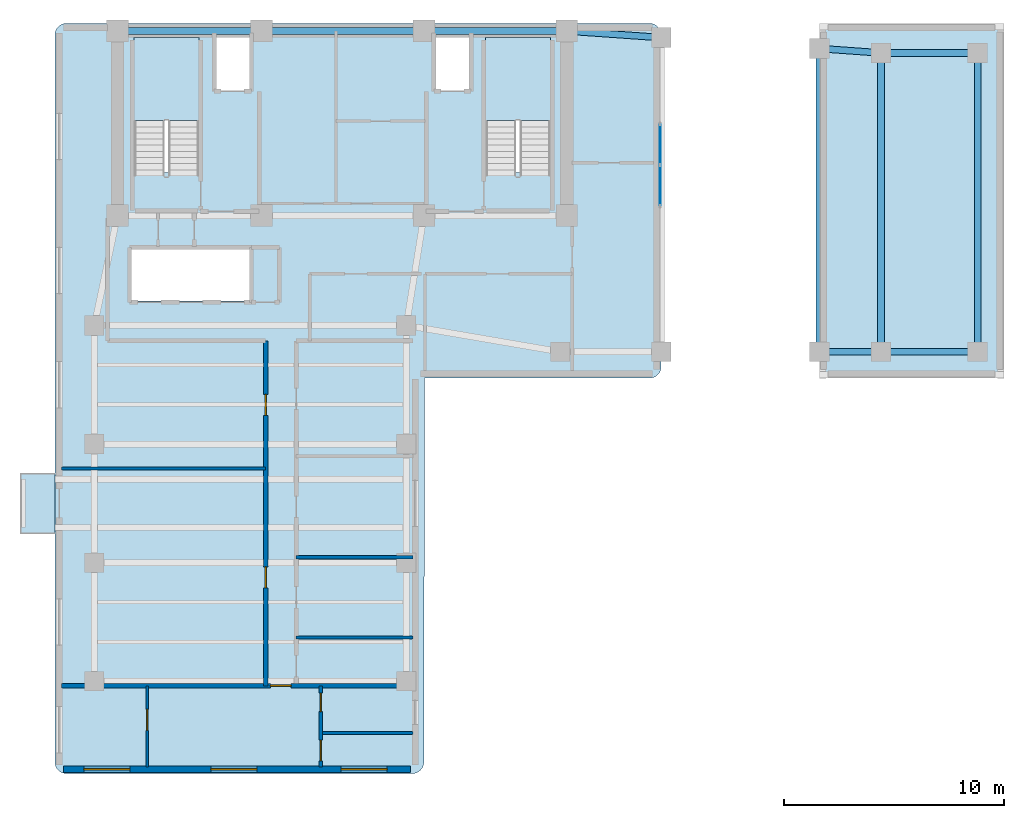
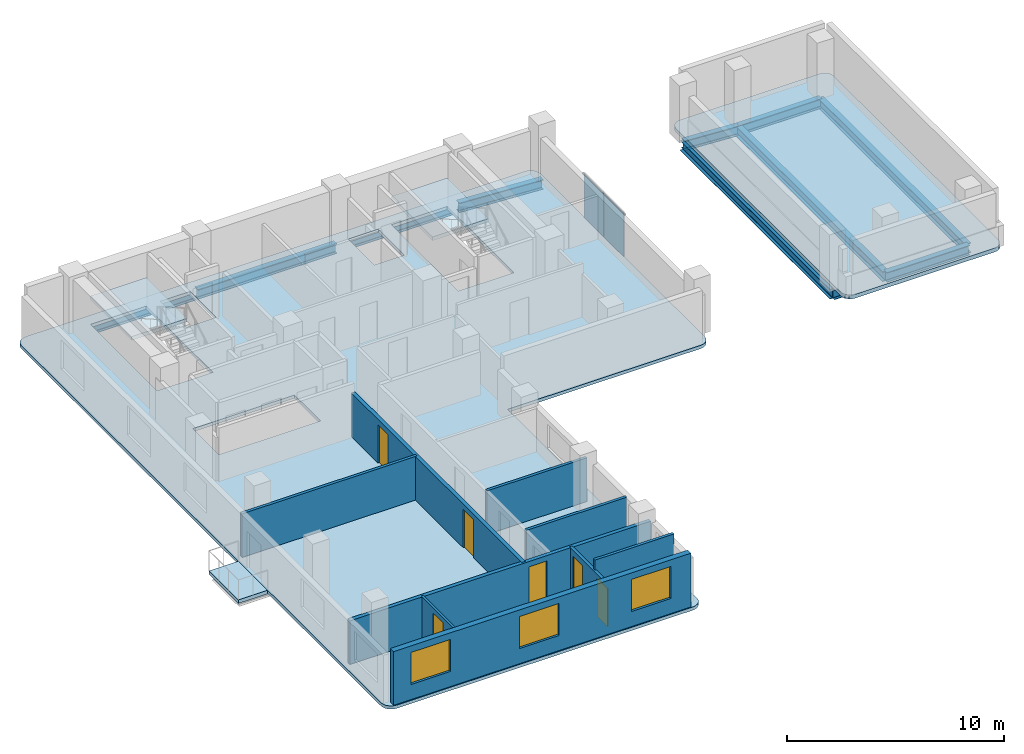
# One storey, part 5 of 10: 11 beams, 9 walls, 6 doors, 5 slabs, 3 windows, 2 plates, 9 openings, 3 elements without a shape of their own.
"""IFC4 building model written with IfcOpenShell, lengths in metres."""

from ifc_helpers import new_model, si_unit, direction, frame, frame_2d, origin, origin_2d, place, context, subcontext, project, spatial, polyline, rectangle, i_section, outline, extrude, material, layer, layer_set, material_profile, profile_set, type_object, element, fill, aggregate, save


model = new_model("IFC4")

# Units and contexts
model_context = context("Model", 3, precision=1e-05, world=origin(), true_north=direction((0.0, 1.0)))
body_context = subcontext(model_context, "Body", "Model", "MODEL_VIEW")
ifc_project = project(units=[si_unit("LENGTHUNIT", "METRE"), si_unit("AREAUNIT", "SQUARE_METRE"), si_unit("VOLUMEUNIT", "CUBIC_METRE"), si_unit("PLANEANGLEUNIT", "RADIAN"), si_unit("MASSUNIT", "GRAM", prefix="KILO")], contexts=[model_context])

# Site, building, storey
site_placement = place(None, origin())
site = spatial("IfcSite", under=ifc_project, at=site_placement, CompositionType="ELEMENT")
building_placement = place(site_placement, origin())
building = spatial("IfcBuilding", under=site, at=building_placement, Name="Kuzgunbayir Cultural Tower", CompositionType="ELEMENT")
storey_placement = place(building_placement, frame((0.0, 0.0, 163.199951171875)))
storey = spatial("IfcBuildingStorey", under=building, at=storey_placement, Name="L47", CompositionType="ELEMENT", Elevation=163.199951171875)

# Beams
ifc_material_1 = material(Name="Steel S355J2", Category="steel")
ifc_material_profile_1 = material_profile(ifc_material_1, i_section(OverallWidth=0.300048828125, OverallDepth=0.550048828125, WebThickness=0.014892578125, FlangeThickness=0.029052734375, FilletRadius=0.027099609375, at=origin_2d()), Name="HEB 550")
ifc_profile_set_1 = profile_set([ifc_material_profile_1], Name="Steel S355J2")
beam_type_1 = type_object("IfcBeamType", Name="BM-EXT-HEB550", PredefinedType="BEAM", material=ifc_profile_set_1)
beam_1_placement = place(storey_placement, frame((26.89990234375, 42.199951171875, -0.449951171875), z_axis=(0.997574369175, -0.069608749203, 0.0), x_axis=(0.069608749203, 0.997574369175, 0.0)))
element("IfcBeam", 1, at=beam_1_placement, inside=storey, type_object=beam_type_1, Name="L47 Wing B North Girder", PredefinedType="BEAM", context=body_context, shape_type="SweptSolid", body=[
    extrude(i_section(OverallWidth=0.300048828125, OverallDepth=0.550048828125, WebThickness=0.014892578125, FlangeThickness=0.029052734375, FilletRadius=0.027099609375, at=origin_2d()), origin(), (0.0, 0.0, 1.0), 4.310546875),
])
beam_2_placement = place(storey_placement, frame((38.39990234375, 27.60009765625, -0.510009765625), z_axis=(1.0, 0.0, 0.0), x_axis=(0.0, 1.0, 0.0)))
element("IfcBeam", 2, at=beam_2_placement, inside=storey, type_object=beam_type_1, Name="L47 Wing B South Girder", PredefinedType="BEAM", context=body_context, shape_type="SweptSolid", body=[
    extrude(i_section(OverallWidth=0.300048828125, OverallDepth=0.550048828125, WebThickness=0.014892578125, FlangeThickness=0.029052734375, FilletRadius=0.027099609375, at=origin_2d()), origin(), (0.0, 0.0, 1.0), 2.800048828125),
])
beam_3_placement = place(storey_placement, frame((38.39990234375, 41.39990234375, -0.510009765625), z_axis=(0.997460024076, -0.071228508128, 0.0), x_axis=(0.071228508128, 0.997460024076, 0.0)))
element("IfcBeam", 3, at=beam_3_placement, inside=storey, type_object=beam_type_1, Name="L47 Wing B North Girder", PredefinedType="BEAM", context=body_context, shape_type="SweptSolid", body=[
    extrude(i_section(OverallWidth=0.300048828125, OverallDepth=0.550048828125, WebThickness=0.014892578125, FlangeThickness=0.029052734375, FilletRadius=0.027099609375, at=origin_2d()), origin(), (0.0, 0.0, 1.0), 2.80712890625),
])
for number, where, z_axis, x_axis, name in (
    (4, (41.199951171875, 27.60009765625, -0.510009765625), (1.0, 0.0, 0.0), (0.0, 1.0, 0.0), "L47 Wing B South Girder"),
    (5, (41.199951171875, 41.199951171875, -0.510009765625), (1.0, 0.0, 0.0), (0.0, 1.0, 0.0), "L47 Wing B North Girder"),
):
    element("IfcBeam", number, at=place(storey_placement, frame(where, z_axis=z_axis, x_axis=x_axis)), inside=storey, type_object=beam_type_1, Name=name, PredefinedType="BEAM", context=body_context, shape_type="SweptSolid", body=[
        extrude(i_section(OverallWidth=0.300048828125, OverallDepth=0.550048828125, WebThickness=0.014892578125, FlangeThickness=0.029052734375, FilletRadius=0.027099609375, at=origin_2d()), origin(), (0.0, 0.0, 1.0), 4.400146484375),
    ])
ifc_material_profile_2 = material_profile(ifc_material_1, i_section(OverallWidth=0.300048828125, OverallDepth=0.550048828125, WebThickness=0.014892578125, FlangeThickness=0.029052734375, FilletRadius=0.027099609375, at=origin_2d()), Name="HEB 550")
ifc_profile_set_2 = profile_set([ifc_material_profile_2], Name="Steel S355J2")
beam_type_2 = type_object("IfcBeamType", Name="BM-GIR-HEB550", PredefinedType="BEAM", material=ifc_profile_set_2)
beam_4_placement = place(storey_placement, frame((6.449951171875, 42.199951171875, -0.449951171875), z_axis=(1.0, 0.0, 0.0), x_axis=(0.0, 1.0, 0.0)))
element("IfcBeam", 6, at=beam_4_placement, inside=storey, type_object=beam_type_2, Name="L47 Core North Girder 1", PredefinedType="BEAM", context=body_context, shape_type="SweptSolid", body=[
    extrude(i_section(OverallWidth=0.300048828125, OverallDepth=0.550048828125, WebThickness=0.014892578125, FlangeThickness=0.029052734375, FilletRadius=0.027099609375, at=origin_2d()), origin(), (0.0, 0.0, 1.0), 6.550048828125),
])
beam_5_placement = place(storey_placement, frame((13.0, 42.199951171875, -0.449951171875), z_axis=(1.0, 0.0, 0.0), x_axis=(0.0, 1.0, 0.0)))
element("IfcBeam", 7, at=beam_5_placement, inside=storey, type_object=beam_type_2, Name="L47 Core North Girder 2", PredefinedType="BEAM", context=body_context, shape_type="SweptSolid", body=[
    extrude(i_section(OverallWidth=0.300048828125, OverallDepth=0.550048828125, WebThickness=0.014892578125, FlangeThickness=0.029052734375, FilletRadius=0.027099609375, at=origin_2d()), origin(), (0.0, 0.0, 1.0), 7.39990234375),
])
beam_6_placement = place(storey_placement, frame((20.39990234375, 42.199951171875, -0.449951171875), z_axis=(1.0, 0.0, 0.0), x_axis=(0.0, 1.0, 0.0)))
element("IfcBeam", 8, at=beam_6_placement, inside=storey, type_object=beam_type_2, Name="L47 Core North Girder 3", PredefinedType="BEAM", context=body_context, shape_type="SweptSolid", body=[
    extrude(i_section(OverallWidth=0.300048828125, OverallDepth=0.550048828125, WebThickness=0.014892578125, FlangeThickness=0.029052734375, FilletRadius=0.027099609375, at=origin_2d()), origin(), (0.0, 0.0, 1.0), 6.5),
])
beam_7_placement = place(storey_placement, frame((38.39990234375, 27.60009765625, -0.510009765625), z_axis=(0.0, 1.0, 0.0), x_axis=(-1.0, 0.0, 0.0)))
element("IfcBeam", 9, at=beam_7_placement, inside=storey, type_object=beam_type_2, Name="L47 Wing B Cross Girder", PredefinedType="BEAM", context=body_context, shape_type="SweptSolid", body=[
    extrude(i_section(OverallWidth=0.300048828125, OverallDepth=0.550048828125, WebThickness=0.014892578125, FlangeThickness=0.029052734375, FilletRadius=0.027099609375, at=origin_2d()), origin(), (0.0, 0.0, 1.0), 13.7998046875),
])
for number, where, z_axis, x_axis, name in (
    (10, (41.199951171875, 27.60009765625, -0.510009765625), (0.0, 1.0, 0.0), (-1.0, 0.0, 0.0), "L47 Wing B Cross Girder"),
    (11, (45.60009765625, 27.60009765625, -0.510009765625), (0.0, 1.0, 0.0), (-1.0, 0.0, 0.0), "L47 Wing B Cross Girder"),
):
    element("IfcBeam", number, at=place(storey_placement, frame(where, z_axis=z_axis, x_axis=x_axis)), inside=storey, type_object=beam_type_2, Name=name, PredefinedType="BEAM", context=body_context, shape_type="SweptSolid", body=[
        extrude(i_section(OverallWidth=0.300048828125, OverallDepth=0.550048828125, WebThickness=0.014892578125, FlangeThickness=0.029052734375, FilletRadius=0.027099609375, at=origin_2d()), origin(), (0.0, 0.0, 1.0), 13.599853515625),
    ])

# Curtain wall, plates
ifc_material_2 = material(Name="Anodised Aluminium Framing", Category="aluminium")
curtain_wall_type = type_object("IfcCurtainWallType", Name="CW02-PORTAL-SOFFIT", PredefinedType="NOTDEFINED", material=ifc_material_2)
curtain_wall_placement = place(storey_placement, origin())
curtain_wall = element("IfcCurtainWall", 12, at=curtain_wall_placement, inside=storey, type_object=curtain_wall_type, Name="L47 Wind-Portal Aperture Curtain Wall", PredefinedType="NOTDEFINED")
ifc_material_3 = material(Name="Solar-Control Triple Glazing", Category="glass")
ifc_layer_1 = layer(ifc_material_3, 0.035888671875)
ifc_layer_set_1 = layer_set([ifc_layer_1], Name="Solar-Control Triple Glazing")
plate_type = type_object("IfcPlateType", Name="PLT-CW-GLASS-36", PredefinedType="CURTAIN_PANEL", material=ifc_layer_set_1)
plate_1_placement = place(storey_placement, frame((31.14990234375, 35.1650390625, 0.06005859375), z_axis=(0.0, 0.0, 1.0), x_axis=(0.0, 1.0, 0.0)))
plate_1 = element("IfcPlate", 13, at=plate_1_placement, type_object=plate_type, Name="CW02 panel 1.1", PredefinedType="CURTAIN_PANEL", context=body_context, shape_type="SweptSolid", body=[
    extrude(rectangle(XDim=1.81005859375, YDim=0.035888671875, at=origin_2d()), origin(), (0.0, 0.0, 1.0), 2.39990234375),
])
plate_2_placement = place(storey_placement, frame((31.14990234375, 37.034912109375, 0.06005859375), z_axis=(0.0, 0.0, 1.0), x_axis=(0.0, 1.0, 0.0)))
plate_2 = element("IfcPlate", 14, at=plate_2_placement, type_object=plate_type, Name="CW02 panel 2.1", PredefinedType="CURTAIN_PANEL", context=body_context, shape_type="SweptSolid", body=[
    extrude(rectangle(XDim=1.81005859375, YDim=0.035888671875, at=origin_2d()), origin(), (0.0, 0.0, 1.0), 2.39990234375),
])
aggregate(curtain_wall, [plate_1, plate_2])

# Slab
ifc_material_4 = material(Name="Concrete C40/50", Category="concrete")
ifc_layer_2 = layer(ifc_material_4, 0.199951171875)
ifc_layer_set_2 = layer_set([ifc_layer_2], Name="Concrete C40/50")
slab_type_1 = type_object("IfcSlabType", Name="SLB-BAL-STONE", PredefinedType="FLOOR", material=ifc_layer_set_2)
slab_1_placement = place(storey_placement, frame((0.0, 0.0, -0.199951171875)))
element("IfcSlab", 15, at=slab_1_placement, inside=storey, type_object=slab_type_1, Name="L47 Projecting Limestone Balcony BAL-L47-WA2", PredefinedType="FLOOR", context=body_context, shape_type="SweptSolid", body=[
    extrude(outline(polyline([(2.0400390625, 19.35009765625), (3.60009765625, 19.35009765625), (3.60009765625, 22.050048828125), (2.0400390625, 22.050048828125), (2.0400390625, 19.35009765625)])), origin(), (0.0, 0.0, 1.0), 0.199951171875),
])

# Stair, slab
stair_type = type_object("IfcStairType", Name="STR-EXIT-CORE", PredefinedType="HALF_TURN_STAIR", material=ifc_material_4)
stair_1_placement = place(storey_placement, origin())
stair_1 = element("IfcStair", 16, at=stair_1_placement, inside=storey, type_object=stair_type, Name="L47 ST-1", PredefinedType="HALF_TURN_STAIR")
ifc_layer_3 = layer(ifc_material_4, 0.179931640625)
ifc_layer_set_3 = layer_set([ifc_layer_3], Name="Concrete C40/50")
slab_type_2 = type_object("IfcSlabType", Name="SLB-LANDING-180", PredefinedType="LANDING", material=ifc_layer_set_3)
slab_2_placement = place(storey_placement, frame((0.0, 0.0, 1.400146484375)))
slab_2 = element("IfcSlab", 17, at=slab_2_placement, type_object=slab_type_2, Name="ST-1 landing 1", PredefinedType="LANDING", context=body_context, shape_type="SweptSolid", body=[
    extrude(outline(polyline([(10.159912109375, 38.1201171875), (10.159912109375, 41.89990234375), (7.199951171875, 41.89990234375), (7.199951171875, 38.1201171875), (10.159912109375, 38.1201171875)])), origin(), (0.0, 0.0, 1.0), 0.199951171875),
])
aggregate(stair_1, [slab_2])

stair_2_placement = place(storey_placement, origin())
stair_2 = element("IfcStair", 18, at=stair_2_placement, inside=storey, type_object=stair_type, Name="L47 ST-2", PredefinedType="HALF_TURN_STAIR")
slab_3_placement = place(storey_placement, frame((0.0, 0.0, 1.400146484375)))
slab_3 = element("IfcSlab", 19, at=slab_3_placement, type_object=slab_type_2, Name="ST-2 landing 1", PredefinedType="LANDING", context=body_context, shape_type="SweptSolid", body=[
    extrude(outline(polyline([(26.159912109375, 38.1201171875), (26.159912109375, 41.89990234375), (23.199951171875, 41.89990234375), (23.199951171875, 38.1201171875), (26.159912109375, 38.1201171875)])), origin(), (0.0, 0.0, 1.0), 0.199951171875),
])
aggregate(stair_2, [slab_3])

# Slabs
ifc_layer_4 = layer(ifc_material_4, 0.219970703125)
ifc_layer_set_4 = layer_set([ifc_layer_4], Name="Concrete C40/50")
slab_type_3 = type_object("IfcSlabType", Name="SLB-ROOF-COMP-220", PredefinedType="ROOF", material=ifc_layer_set_4)
slab_4_placement = place(storey_placement, frame((0.0, 0.0, -0.219970703125)))
element("IfcSlab", 20, at=slab_4_placement, inside=storey, type_object=slab_type_3, Name="L47 Tower 1 Portal Structural Cap T1-PIER", PredefinedType="ROOF", context=body_context, shape_type="SweptSolid", body=[
    extrude(outline(polyline([(46.300048828125, 26.39990234375), (46.39990234375, 26.409912109375), (46.489990234375, 26.43994140625), (46.580078125, 26.47998046875), (46.64990234375, 26.550048828125), (46.719970703125, 26.6201171875), (46.760009765625, 26.7099609375), (46.7900390625, 26.800048828125), (46.800048828125, 26.89990234375), (46.800048828125, 42.050048828125), (46.7900390625, 42.14990234375), (46.760009765625, 42.239990234375), (46.719970703125, 42.330078125), (46.64990234375, 42.39990234375), (46.580078125, 42.469970703125), (46.489990234375, 42.510009765625), (46.39990234375, 42.5400390625), (46.300048828125, 42.550048828125), (38.89990234375, 42.550048828125), (38.800048828125, 42.5400390625), (38.7099609375, 42.510009765625), (38.6201171875, 42.469970703125), (38.550048828125, 42.39990234375), (38.47998046875, 42.330078125), (38.43994140625, 42.239990234375), (38.409912109375, 42.14990234375), (38.39990234375, 42.050048828125), (38.39990234375, 26.89990234375), (38.409912109375, 26.800048828125), (38.43994140625, 26.7099609375), (38.47998046875, 26.6201171875), (38.550048828125, 26.550048828125), (38.6201171875, 26.47998046875), (38.7099609375, 26.43994140625), (38.800048828125, 26.409912109375), (38.89990234375, 26.39990234375), (46.300048828125, 26.39990234375)])), origin(), (0.0, 0.0, 1.0), 0.219970703125),
])
ifc_layer_5 = layer(ifc_material_4, 0.179931640625)
ifc_layer_set_5 = layer_set([ifc_layer_5], Name="Concrete C40/50")
slab_type_4 = type_object("IfcSlabType", Name="SLB-TYP-180", PredefinedType="FLOOR", material=ifc_layer_set_5)
slab_5_placement = place(storey_placement, frame((0.0, 0.0, -0.179931640625)))
element("IfcSlab", 21, at=slab_5_placement, inside=storey, type_object=slab_type_4, Name="L47 Tower 1 Floor Slab T1-WEST", PredefinedType="FLOOR", context=body_context, shape_type="SweptSolid", body=[
    extrude(outline(polyline([(20.39990234375, 8.949951171875), (20.389892578125, 8.840087890625), (20.360107421875, 8.739990234375), (20.31005859375, 8.639892578125), (20.239990234375, 8.56005859375), (20.159912109375, 8.489990234375), (20.06005859375, 8.43994140625), (19.9599609375, 8.409912109375), (19.85009765625, 8.39990234375), (4.14990234375, 8.39990234375), (4.0400390625, 8.409912109375), (3.93994140625, 8.43994140625), (3.840087890625, 8.489990234375), (3.760009765625, 8.56005859375), (3.68994140625, 8.639892578125), (3.639892578125, 8.739990234375), (3.610107421875, 8.840087890625), (3.60009765625, 8.949951171875), (3.60009765625, 42.0), (3.610107421875, 42.110107421875), (3.639892578125, 42.2099609375), (3.68994140625, 42.31005859375), (3.760009765625, 42.389892578125), (3.840087890625, 42.4599609375), (3.93994140625, 42.510009765625), (4.0400390625, 42.5400390625), (4.14990234375, 42.550048828125), (30.64990234375, 42.550048828125), (30.760009765625, 42.5400390625), (30.860107421875, 42.510009765625), (30.9599609375, 42.4599609375), (31.0400390625, 42.389892578125), (31.110107421875, 42.31005859375), (31.159912109375, 42.2099609375), (31.18994140625, 42.110107421875), (31.199951171875, 42.0), (31.199951171875, 26.949951171875), (31.18994140625, 26.840087890625), (31.159912109375, 26.739990234375), (31.110107421875, 26.639892578125), (31.0400390625, 26.56005859375), (30.9599609375, 26.489990234375), (30.860107421875, 26.43994140625), (30.760009765625, 26.409912109375), (30.64990234375, 26.39990234375), (20.429931640625, 26.39990234375), (20.39990234375, 8.949951171875)]), holes=[polyline([(7.199951171875, 35.760009765625), (7.199951171875, 41.89990234375), (10.159912109375, 41.89990234375), (10.159912109375, 35.760009765625), (7.199951171875, 35.760009765625)]), polyline([(23.199951171875, 35.760009765625), (23.199951171875, 41.89990234375), (26.159912109375, 41.89990234375), (26.159912109375, 35.760009765625), (23.199951171875, 35.760009765625)]), polyline([(7.10009765625, 29.89990234375), (7.10009765625, 32.300048828125), (12.5, 32.300048828125), (12.5, 29.89990234375), (7.10009765625, 29.89990234375)]), polyline([(10.89990234375, 39.5), (10.89990234375, 41.89990234375), (12.5, 41.89990234375), (12.5, 39.5), (10.89990234375, 39.5)]), polyline([(20.89990234375, 39.5), (20.89990234375, 41.89990234375), (22.5, 41.89990234375), (22.5, 39.5), (20.89990234375, 39.5)])]), origin(), (0.0, 0.0, 1.0), 0.179931640625),
])

# Wall, openings, windows
ifc_material_5 = material(Name="Anatolian Cream Limestone", Category="masonry")
ifc_layer_6 = layer(ifc_material_5, 0.300048828125)
ifc_layer_set_6 = layer_set([ifc_layer_6], Name="Anatolian Cream Limestone")
wall_type_1 = type_object("IfcWallType", Name="WAL-EXT-STONE-300", PredefinedType="STANDARD", material=ifc_layer_set_6)
wall_1_placement = place(storey_placement, frame((4.0, 8.60009765625, 0.0), z_axis=(0.0, 0.0, 1.0), x_axis=(1.0, 0.0, 0.0)))
wall_1 = element("IfcWall", 22, at=wall_1_placement, inside=storey, type_object=wall_type_1, Name="L47 Wing A South Limestone Wall", PredefinedType="STANDARD", context=body_context, shape_type="SweptSolid", body=[
    extrude(rectangle(XDim=15.800048828125, YDim=0.300048828125, at=frame_2d((7.89990234375, 0.0))), origin(), (0.0, 0.0, 1.0), 3.02001953125),
])
opening_1_placement = place(wall_1_placement, frame((0.919921875, 0.0, 0.85009765625)))
opening_1 = element("IfcOpeningElement", 23, at=opening_1_placement, cuts=wall_1, Name="Opening WR-21", PredefinedType="OPENING", context=body_context, shape_type="SweptSolid", body=[
    extrude(rectangle(XDim=2.10009765625, YDim=1.800048828125, at=frame_2d((1.050048828125, 0.89990234375))), frame((0.0, 0.16015625, 0.0), z_axis=(0.0, -1.0, 0.0), x_axis=(1.0, 0.0, 0.0)), (0.0, 0.0, 1.0), 0.320068359375),
])
opening_2_placement = place(wall_1_placement, frame((6.699951171875, 0.0, 0.85009765625)))
opening_2 = element("IfcOpeningElement", 24, at=opening_2_placement, cuts=wall_1, Name="Opening WR-21", PredefinedType="OPENING", context=body_context, shape_type="SweptSolid", body=[
    extrude(rectangle(XDim=2.10009765625, YDim=1.800048828125, at=frame_2d((1.050048828125, 0.89990234375))), frame((0.0, 0.16015625, 0.0), z_axis=(0.0, -1.0, 0.0), x_axis=(1.0, 0.0, 0.0)), (0.0, 0.0, 1.0), 0.320068359375),
])
opening_3_placement = place(wall_1_placement, frame((12.6298828125, 0.0, 0.85009765625)))
opening_3 = element("IfcOpeningElement", 25, at=opening_3_placement, cuts=wall_1, Name="Opening WR-21", PredefinedType="OPENING", context=body_context, shape_type="SweptSolid", body=[
    extrude(rectangle(XDim=2.10009765625, YDim=1.800048828125, at=frame_2d((1.050048828125, 0.89990234375))), frame((0.0, 0.16015625, 0.0), z_axis=(0.0, -1.0, 0.0), x_axis=(1.0, 0.0, 0.0)), (0.0, 0.0, 1.0), 0.320068359375),
])
window_type = type_object("IfcWindowType", Name="WIN-RESID-21", PartitioningType="SINGLE_PANEL", PredefinedType="WINDOW", material=ifc_material_3)
window_1_placement = place(opening_1_placement, origin())
window_1 = element("IfcWindow", 26, at=window_1_placement, inside=storey, type_object=window_type, Name="L47 WAS Facade Window 1", OverallHeight=1.800048828125, OverallWidth=2.10009765625, PartitioningType="SINGLE_PANEL", PredefinedType="WINDOW", context=body_context, shape_type="SweptSolid", body=[
    extrude(rectangle(XDim=2.10009765625, YDim=1.800048828125, at=frame_2d((1.050048828125, 0.89990234375))), frame((0.0, 0.030029296875, 0.0), z_axis=(0.0, -1.0, 0.0), x_axis=(1.0, 0.0, 0.0)), (0.0, 0.0, 1.0), 0.06005859375),
])
fill(opening_1, window_1)
window_2_placement = place(opening_2_placement, origin())
window_2 = element("IfcWindow", 27, at=window_2_placement, inside=storey, type_object=window_type, Name="L47 WAS Facade Window 2", OverallHeight=1.800048828125, OverallWidth=2.10009765625, PartitioningType="SINGLE_PANEL", PredefinedType="WINDOW", context=body_context, shape_type="SweptSolid", body=[
    extrude(rectangle(XDim=2.10009765625, YDim=1.800048828125, at=frame_2d((1.050048828125, 0.89990234375))), frame((0.0, 0.030029296875, 0.0), z_axis=(0.0, -1.0, 0.0), x_axis=(1.0, 0.0, 0.0)), (0.0, 0.0, 1.0), 0.06005859375),
])
fill(opening_2, window_2)
window_3_placement = place(opening_3_placement, origin())
window_3 = element("IfcWindow", 28, at=window_3_placement, inside=storey, type_object=window_type, Name="L47 WAS Facade Window 3", OverallHeight=1.800048828125, OverallWidth=2.10009765625, PartitioningType="SINGLE_PANEL", PredefinedType="WINDOW", context=body_context, shape_type="SweptSolid", body=[
    extrude(rectangle(XDim=2.10009765625, YDim=1.800048828125, at=frame_2d((1.050048828125, 0.89990234375))), frame((0.0, 0.030029296875, 0.0), z_axis=(0.0, -1.0, 0.0), x_axis=(1.0, 0.0, 0.0)), (0.0, 0.0, 1.0), 0.06005859375),
])
fill(opening_3, window_3)

# Walls
ifc_material_6 = material(Name="Acoustic Double-Stud Drywall", Category="gypsum")
ifc_layer_7 = layer(ifc_material_6, 0.14990234375)
ifc_layer_set_7 = layer_set([ifc_layer_7], Name="Acoustic Double-Stud Drywall")
wall_type_2 = type_object("IfcWallType", Name="WAL-PART-ACOUSTIC-150", PredefinedType="PARTITIONING", material=ifc_layer_set_7)
wall_2_placement = place(storey_placement, frame((3.89990234375, 22.2900390625, 0.0), z_axis=(0.0, 0.0, 1.0), x_axis=(1.0, 0.0, 0.0)))
element("IfcWall", 29, at=wall_2_placement, inside=storey, type_object=wall_type_2, Name="L47 West Study Partition 1", PredefinedType="PARTITIONING", context=body_context, shape_type="SweptSolid", body=[
    extrude(rectangle(XDim=9.300048828125, YDim=0.14990234375, at=frame_2d((4.64990234375, 0.0))), origin(), (0.0, 0.0, 1.0), 2.449951171875),
])
wall_3_placement = place(storey_placement, frame((14.580078125, 18.25, 0.0), z_axis=(0.0, 0.0, 1.0), x_axis=(1.0, 0.0, 0.0)))
element("IfcWall", 30, at=wall_3_placement, inside=storey, type_object=wall_type_2, Name="L47 East Divider 1", PredefinedType="PARTITIONING", context=body_context, shape_type="SweptSolid", body=[
    extrude(rectangle(XDim=5.31982421875, YDim=0.14990234375, at=frame_2d((2.659912109375, 0.0))), origin(), (0.0, 0.0, 1.0), 2.449951171875),
])

# Wall, openings, doors
ifc_material_7 = material(Name="Aerated Concrete Blockwork", Category="masonry")
ifc_layer_8 = layer(ifc_material_7, 0.199951171875)
ifc_layer_set_8 = layer_set([ifc_layer_8], Name="Aerated Concrete Blockwork")
wall_type_3 = type_object("IfcWallType", Name="WAL-PART-FIRE-200", PredefinedType="PARTITIONING", material=ifc_layer_set_8)
wall_4_placement = place(storey_placement, frame((13.199951171875, 12.39990234375, 0.0), z_axis=(0.0, 0.0, 1.0), x_axis=(0.0, 1.0, 0.0)))
wall_4 = element("IfcWall", 31, at=wall_4_placement, inside=storey, type_object=wall_type_3, Name="L47 Wing A West Corridor Wall", PredefinedType="PARTITIONING", context=body_context, shape_type="SweptSolid", body=[
    extrude(rectangle(XDim=15.7001953125, YDim=0.199951171875, at=frame_2d((7.85009765625, 0.0))), origin(), (0.0, 0.0, 1.0), 2.449951171875),
])
opening_4_placement = place(wall_4_placement, frame((4.4599609375, 0.0, 0.0)))
opening_4 = element("IfcOpeningElement", 32, at=opening_4_placement, cuts=wall_4, Name="Opening DI-90", PredefinedType="OPENING", context=body_context, shape_type="SweptSolid", body=[
    extrude(rectangle(XDim=0.949951171875, YDim=2.14990234375, at=frame_2d((0.47509765625, 1.074951171875))), frame((0.0, 0.10986328125, 0.0), z_axis=(0.0, -1.0, 0.0), x_axis=(1.0, 0.0, 0.0)), (0.0, 0.0, 1.0), 0.219970703125),
])
opening_5_placement = place(wall_4_placement, frame((12.31005859375, 0.0, 0.0)))
opening_5 = element("IfcOpeningElement", 33, at=opening_5_placement, cuts=wall_4, Name="Opening DI-90", PredefinedType="OPENING", context=body_context, shape_type="SweptSolid", body=[
    extrude(rectangle(XDim=0.949951171875, YDim=2.14990234375, at=frame_2d((0.47509765625, 1.074951171875))), frame((0.0, 0.10986328125, 0.0), z_axis=(0.0, -1.0, 0.0), x_axis=(1.0, 0.0, 0.0)), (0.0, 0.0, 1.0), 0.219970703125),
])
ifc_material_8 = material(Name="Veneered Oak Single Leaf", Category="wood")
door_type_1 = type_object("IfcDoorType", Name="DR-INT-90", OperationType="NOTDEFINED", PredefinedType="DOOR", material=ifc_material_8)
door_1_placement = place(opening_4_placement, origin())
door_1 = element("IfcDoor", 34, at=door_1_placement, inside=storey, type_object=door_type_1, Name="L47 Fellows Reading Lounge W1 Door", OperationType="SINGLE_SWING_LEFT", OverallHeight=2.14990234375, OverallWidth=0.949951171875, PredefinedType="DOOR", context=body_context, shape_type="SweptSolid", body=[
    extrude(rectangle(XDim=0.949951171875, YDim=2.14990234375, at=frame_2d((0.47509765625, 1.074951171875))), frame((0.0, 0.02490234375, 0.0), z_axis=(0.0, -1.0, 0.0), x_axis=(1.0, 0.0, 0.0)), (0.0, 0.0, 1.0), 0.050048828125),
])
fill(opening_4, door_1)
door_2_placement = place(opening_5_placement, origin())
door_2 = element("IfcDoor", 35, at=door_2_placement, inside=storey, type_object=door_type_1, Name="L47 Seminar Boardroom W2 Door", OperationType="SINGLE_SWING_RIGHT", OverallHeight=2.14990234375, OverallWidth=0.949951171875, PredefinedType="DOOR", context=body_context, shape_type="SweptSolid", body=[
    extrude(rectangle(XDim=0.949951171875, YDim=2.14990234375, at=frame_2d((0.47509765625, 1.074951171875))), frame((0.0, 0.02490234375, 0.0), z_axis=(0.0, -1.0, 0.0), x_axis=(1.0, 0.0, 0.0)), (0.0, 0.0, 1.0), 0.050048828125),
])
fill(opening_5, door_2)

# Wall, opening, door
wall_5_placement = place(storey_placement, frame((3.89990234375, 12.39990234375, 0.0), z_axis=(0.0, 0.0, 1.0), x_axis=(1.0, 0.0, 0.0)))
wall_5 = element("IfcWall", 36, at=wall_5_placement, inside=storey, type_object=wall_type_3, Name="L47 South Cross Partition", PredefinedType="PARTITIONING", context=body_context, shape_type="SweptSolid", body=[
    extrude(rectangle(XDim=16.0, YDim=0.199951171875, at=frame_2d((8.0, 0.0))), origin(), (0.0, 0.0, 1.0), 2.449951171875),
])
opening_6_placement = place(wall_5_placement, frame((9.510009765625, 0.0, 0.0)))
opening_6 = element("IfcOpeningElement", 37, at=opening_6_placement, cuts=wall_5, Name="Opening DR-APT-60", PredefinedType="OPENING", context=body_context, shape_type="SweptSolid", body=[
    extrude(rectangle(XDim=0.949951171875, YDim=2.14990234375, at=frame_2d((0.47509765625, 1.074951171875))), frame((0.0, 0.10986328125, 0.0), z_axis=(0.0, -1.0, 0.0), x_axis=(1.0, 0.0, 0.0)), (0.0, 0.0, 1.0), 0.219970703125),
])
ifc_material_9 = material(Name="Acoustic Fire Timber Leaf", Category="wood")
door_type_2 = type_object("IfcDoorType", Name="DR-APT-60", OperationType="NOTDEFINED", PredefinedType="DOOR", material=ifc_material_9)
door_3_placement = place(opening_6_placement, origin())
door_3 = element("IfcDoor", 38, at=door_3_placement, inside=storey, type_object=door_type_2, Name="L47 Apartment A Entrance", OperationType="SINGLE_SWING_LEFT", OverallHeight=2.14990234375, OverallWidth=0.949951171875, PredefinedType="DOOR", context=body_context, shape_type="SweptSolid", body=[
    extrude(rectangle(XDim=0.949951171875, YDim=2.14990234375, at=frame_2d((0.47509765625, 1.074951171875))), frame((0.0, 0.02490234375, 0.0), z_axis=(0.0, -1.0, 0.0), x_axis=(1.0, 0.0, 0.0)), (0.0, 0.0, 1.0), 0.050048828125),
])
fill(opening_6, door_3)

ifc_material_10 = material(Name="Framed Gypsum Partition", Category="gypsum")
ifc_layer_9 = layer(ifc_material_10, 0.1201171875)
ifc_layer_set_9 = layer_set([ifc_layer_9], Name="Framed Gypsum Partition")
wall_type_4 = type_object("IfcWallType", Name="WAL-PART-INT-120", PredefinedType="PARTITIONING", material=ifc_layer_set_9)
wall_6_placement = place(storey_placement, frame((7.800048828125, 8.699951171875, 0.0), z_axis=(0.0, 0.0, 1.0), x_axis=(0.0, 1.0, 0.0)))
wall_6 = element("IfcWall", 39, at=wall_6_placement, inside=storey, type_object=wall_type_4, Name="L47 Flat A West Bedroom Wall", PredefinedType="PARTITIONING", context=body_context, shape_type="SweptSolid", body=[
    extrude(rectangle(XDim=3.699951171875, YDim=0.1201171875, at=frame_2d((1.85009765625, 0.0))), origin(), (0.0, 0.0, 1.0), 2.449951171875),
])
opening_7_placement = place(wall_6_placement, frame((1.669921875, 0.0, 0.0)))
opening_7 = element("IfcOpeningElement", 40, at=opening_7_placement, cuts=wall_6, Name="Opening DI-90", PredefinedType="OPENING", context=body_context, shape_type="SweptSolid", body=[
    extrude(rectangle(XDim=0.949951171875, YDim=2.14990234375, at=frame_2d((0.47509765625, 1.074951171875))), frame((0.0, 0.070068359375, 0.0), z_axis=(0.0, -1.0, 0.0), x_axis=(1.0, 0.0, 0.0)), (0.0, 0.0, 1.0), 0.14013671875),
])
door_4_placement = place(opening_7_placement, origin())
door_4 = element("IfcDoor", 41, at=door_4_placement, inside=storey, type_object=door_type_1, Name="L47 Apartment A Bedroom Door", OperationType="SINGLE_SWING_RIGHT", OverallHeight=2.14990234375, OverallWidth=0.949951171875, PredefinedType="DOOR", context=body_context, shape_type="SweptSolid", body=[
    extrude(rectangle(XDim=0.949951171875, YDim=2.14990234375, at=frame_2d((0.47509765625, 1.074951171875))), frame((0.0, 0.02490234375, 0.0), z_axis=(0.0, -1.0, 0.0), x_axis=(1.0, 0.0, 0.0)), (0.0, 0.0, 1.0), 0.050048828125),
])
fill(opening_7, door_4)

# Wall, openings, doors
ifc_material_11 = material(Name="Moisture-Resistant Tile Partition", Category="gypsum")
ifc_layer_10 = layer(ifc_material_11, 0.14990234375)
ifc_layer_set_10 = layer_set([ifc_layer_10], Name="Moisture-Resistant Tile Partition")
wall_type_5 = type_object("IfcWallType", Name="WAL-PART-WET-150", PredefinedType="PARTITIONING", material=ifc_layer_set_10)
wall_7_placement = place(storey_placement, frame((15.699951171875, 8.699951171875, 0.0), z_axis=(0.0, 0.0, 1.0), x_axis=(0.0, 1.0, 0.0)))
wall_7 = element("IfcWall", 42, at=wall_7_placement, inside=storey, type_object=wall_type_5, Name="L47 Flat A East Service Wall", PredefinedType="PARTITIONING", context=body_context, shape_type="SweptSolid", body=[
    extrude(rectangle(XDim=3.699951171875, YDim=0.14990234375, at=frame_2d((1.85009765625, 0.0))), origin(), (0.0, 0.0, 1.0), 2.449951171875),
])
opening_8_placement = place(wall_7_placement, frame((0.280029296875, 0.0, 0.0)))
opening_8 = element("IfcOpeningElement", 43, at=opening_8_placement, cuts=wall_7, Name="Opening DI-90", PredefinedType="OPENING", context=body_context, shape_type="SweptSolid", body=[
    extrude(rectangle(XDim=0.949951171875, YDim=2.14990234375, at=frame_2d((0.47509765625, 1.074951171875))), frame((0.0, 0.0849609375, 0.0), z_axis=(0.0, -1.0, 0.0), x_axis=(1.0, 0.0, 0.0)), (0.0, 0.0, 1.0), 0.169921875),
])
opening_9_placement = place(wall_7_placement, frame((2.52001953125, 0.0, 0.0)))
opening_9 = element("IfcOpeningElement", 44, at=opening_9_placement, cuts=wall_7, Name="Opening DW-85", PredefinedType="OPENING", context=body_context, shape_type="SweptSolid", body=[
    extrude(rectangle(XDim=0.85009765625, YDim=2.10009765625, at=frame_2d((0.425048828125, 1.050048828125))), frame((0.0, 0.0849609375, 0.0), z_axis=(0.0, -1.0, 0.0), x_axis=(1.0, 0.0, 0.0)), (0.0, 0.0, 1.0), 0.169921875),
])
door_5_placement = place(opening_8_placement, origin())
door_5 = element("IfcDoor", 45, at=door_5_placement, inside=storey, type_object=door_type_1, Name="L47 Apartment A Kitchen Door", OperationType="SINGLE_SWING_LEFT", OverallHeight=2.14990234375, OverallWidth=0.949951171875, PredefinedType="DOOR", context=body_context, shape_type="SweptSolid", body=[
    extrude(rectangle(XDim=0.949951171875, YDim=2.14990234375, at=frame_2d((0.47509765625, 1.074951171875))), frame((0.0, 0.02490234375, 0.0), z_axis=(0.0, -1.0, 0.0), x_axis=(1.0, 0.0, 0.0)), (0.0, 0.0, 1.0), 0.050048828125),
])
fill(opening_8, door_5)
ifc_material_12 = material(Name="Laminate Moisture-Resistant Leaf", Category="wood")
door_type_3 = type_object("IfcDoorType", Name="DR-WET-85", OperationType="NOTDEFINED", PredefinedType="DOOR", material=ifc_material_12)
door_6_placement = place(opening_9_placement, origin())
door_6 = element("IfcDoor", 46, at=door_6_placement, inside=storey, type_object=door_type_3, Name="L47 Apartment A Bathroom Door", OperationType="SINGLE_SWING_RIGHT", OverallHeight=2.10009765625, OverallWidth=0.85009765625, PredefinedType="DOOR", context=body_context, shape_type="SweptSolid", body=[
    extrude(rectangle(XDim=0.85009765625, YDim=2.10009765625, at=frame_2d((0.425048828125, 1.050048828125))), frame((0.0, 0.02490234375, 0.0), z_axis=(0.0, -1.0, 0.0), x_axis=(1.0, 0.0, 0.0)), (0.0, 0.0, 1.0), 0.050048828125),
])
fill(opening_9, door_6)

# Walls
wall_8_placement = place(storey_placement, frame((15.699951171875, 10.25, 0.0), z_axis=(0.0, 0.0, 1.0), x_axis=(1.0, 0.0, 0.0)))
element("IfcWall", 47, at=wall_8_placement, inside=storey, type_object=wall_type_5, Name="L47 Flat A Bath Kitchen Divider", PredefinedType="PARTITIONING", context=body_context, shape_type="SweptSolid", body=[
    extrude(rectangle(XDim=4.199951171875, YDim=0.14990234375, at=frame_2d((2.10009765625, 0.0))), origin(), (0.0, 0.0, 1.0), 3.02001953125),
])
wall_9_placement = place(storey_placement, frame((14.580078125, 14.60009765625, 0.0), z_axis=(0.0, 0.0, 1.0), x_axis=(1.0, 0.0, 0.0)))
element("IfcWall", 48, at=wall_9_placement, inside=storey, type_object=wall_type_5, Name="L47 East Accessible WC Wall", PredefinedType="PARTITIONING", context=body_context, shape_type="SweptSolid", body=[
    extrude(rectangle(XDim=5.31982421875, YDim=0.14990234375, at=frame_2d((2.659912109375, 0.0))), origin(), (0.0, 0.0, 1.0), 2.449951171875),
])

save(model, "model.ifc")
